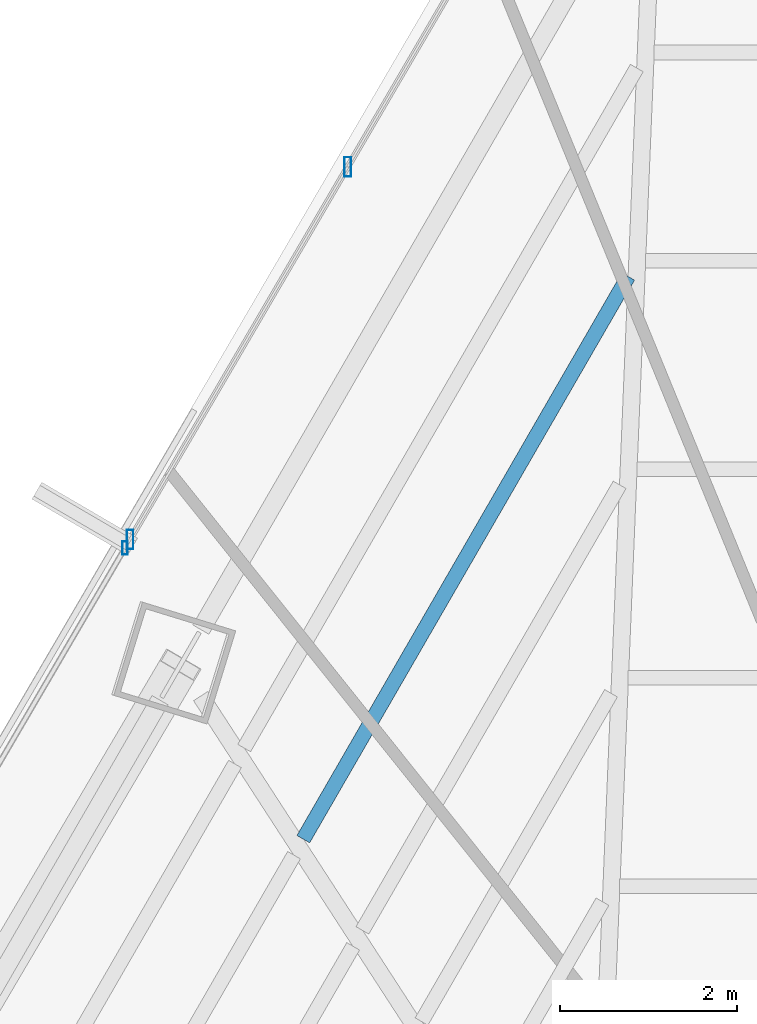
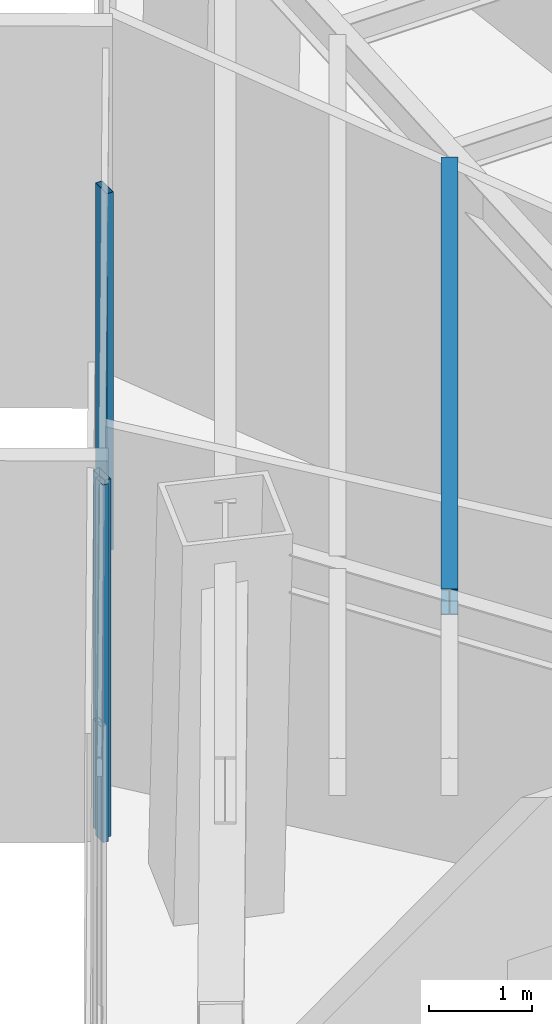
# One storey, part 24 of 37: 3 members, 1 beam, 2 elements without a shape of their own.
"""IFC4 building model written with IfcOpenShell, lengths in metres."""

from ifc_helpers import new_model, si_unit, direction, frame, origin, origin_2d, place, context, subcontext, project, spatial, hollow_rectangle, i_section, extrude, source, transform, mapped, material, material_profile, profile_set, type_object, type_shapes, element, aggregate, save


model = new_model("IFC4")

# Units and contexts
model_context = context("Model", 3, precision=1e-05, world=origin(), true_north=direction((0.0, 1.0)))
body_context = subcontext(model_context, "Body", "Model", "MODEL_VIEW")
ifc_project = project(units=[si_unit("LENGTHUNIT", "METRE"), si_unit("AREAUNIT", "SQUARE_METRE"), si_unit("VOLUMEUNIT", "CUBIC_METRE"), si_unit("PLANEANGLEUNIT", "RADIAN"), si_unit("MASSUNIT", "GRAM", prefix="KILO")], contexts=[model_context])

# Site, building, storey
site_placement = place(None, origin())
site = spatial("IfcSite", under=ifc_project, at=site_placement, CompositionType="ELEMENT")
building_placement = place(site_placement, origin())
building = spatial("IfcBuilding", under=site, at=building_placement, Name="Caelisora Broadcast Tower", CompositionType="ELEMENT")
storey_placement = place(building_placement, frame((0.0, 0.0, 127.300048828125)))
storey = spatial("IfcBuildingStorey", under=building, at=storey_placement, Name="L33", CompositionType="ELEMENT", Elevation=127.300048828125)

# Beam
ifc_material_1 = material(Name="Steel Grade 350 (AS/NZS 3679.1)", Category="steel")
ifc_material_profile_1 = material_profile(ifc_material_1, i_section(OverallWidth=0.166015625, OverallDepth=0.30712890625, WebThickness=0.006591796875, FlangeThickness=0.01171875, at=origin_2d()), Name="Steel Grade 350 (AS/NZS 3679.1)")
ifc_profile_set_1 = profile_set([ifc_material_profile_1], Name="Steel Grade 350 (AS/NZS 3679.1)")
beam_type = type_object("IfcBeamType", Name="SB03", PredefinedType="JOIST", material=ifc_profile_set_1)
shared_shape_1 = source(origin(), body_context, "Body", "SweptSolid", [
    extrude(i_section(OverallWidth=0.166015625, OverallDepth=0.30712890625, WebThickness=0.006591796875, FlangeThickness=0.01171875, at=origin_2d()), origin(), (0.0, 0.0, 1.0), 7.328857421875),
])
type_shapes(beam_type, [shared_shape_1])
beam_placement = place(storey_placement, frame((30.882568359375, 41.578125, 4.096435546875), z_axis=(-0.500015616293, -0.866016387526, 0.0), x_axis=(0.866016387526, -0.500015616293, 0.0)))
element("IfcBeam", 1, at=beam_placement, inside=storey, type_object=beam_type, Name="L33 beam SB03", PredefinedType="JOIST", context=body_context, shape_type="MappedRepresentation", body=[
    mapped(shared_shape_1, transform((0.0, 0.0, 0.0), scale=1.0)),
])

# Curtain wall, members
ifc_material_2 = material(Name="Unitised Aluminium and Low-E Glass Curtain Wall", Category="glass")
curtain_wall_type_1 = type_object("IfcCurtainWallType", Name="CW-SKY", PredefinedType="NOTDEFINED", material=ifc_material_2)
curtain_wall_1_placement = place(storey_placement, origin())
curtain_wall_1 = element("IfcCurtainWall", 2, at=curtain_wall_1_placement, inside=storey, type_object=curtain_wall_type_1, Name="L33 curtain wall CW-SKY", PredefinedType="NOTDEFINED")
ifc_material_3 = material(Name="Aluminium 6063-T6 Anodised Terracotta Bronze", Category="aluminium")
ifc_material_profile_2 = material_profile(ifc_material_3, hollow_rectangle(XDim=0.074951171875, YDim=0.219970703125, WallThickness=0.00390625, at=origin_2d()), Name="Aluminium 6063-T6 Anodised Terracotta Bronze")
ifc_profile_set_2 = profile_set([ifc_material_profile_2], Name="Aluminium 6063-T6 Anodised Terracotta Bronze")
member_type_1 = type_object("IfcMemberType", Name="CWM-01", PredefinedType="MULLION", material=ifc_profile_set_2)
shared_shape_2 = source(origin(), body_context, "Body", "SweptSolid", [
    extrude(hollow_rectangle(XDim=0.074951171875, YDim=0.219970703125, WallThickness=0.00390625, at=origin_2d()), origin(), (0.0, 0.0, 1.0), 4.25),
])
type_shapes(member_type_1, [shared_shape_2])
member_1_placement = place(storey_placement, frame((25.263671875, 38.611572265625, 0.0), z_axis=(0.0, 0.0, 1.0), x_axis=(1.0, 0.0, 0.0)))
member_1 = element("IfcMember", 3, at=member_1_placement, type_object=member_type_1, Name="L33-CW-B11 mullion #0", PredefinedType="MULLION", context=body_context, shape_type="MappedRepresentation", body=[
    mapped(shared_shape_2, transform((0.0, 0.0, 0.0), scale=1.0)),
])
member_2_placement = place(storey_placement, frame((27.71923828125, 42.81396484375, 0.0), z_axis=(0.0, 0.0, 1.0), x_axis=(1.0, 0.0, 0.0)))
member_2 = element("IfcMember", 4, at=member_2_placement, type_object=member_type_1, Name="L33-CW-B11 mullion #1", PredefinedType="MULLION", context=body_context, shape_type="MappedRepresentation", body=[
    mapped(shared_shape_2, transform((0.0, 0.0, 0.0), scale=1.0)),
])
aggregate(curtain_wall_1, [member_1, member_2])

# Curtain wall, member
ifc_material_4 = material(Name="Unitised Aluminium Insulated Shadow-Box Spandrel Curtain Wall", Category="aluminium")
curtain_wall_type_2 = type_object("IfcCurtainWallType", Name="CW-SP2", PredefinedType="NOTDEFINED", material=ifc_material_4)
curtain_wall_2_placement = place(storey_placement, origin())
curtain_wall_2 = element("IfcCurtainWall", 5, at=curtain_wall_2_placement, inside=storey, type_object=curtain_wall_type_2, Name="L33 curtain wall CW-SP2", PredefinedType="NOTDEFINED")
ifc_material_profile_3 = material_profile(ifc_material_3, hollow_rectangle(XDim=0.06005859375, YDim=0.14990234375, WallThickness=0.00341796875, at=origin_2d()), Name="Aluminium 6063-T6 Anodised Terracotta Bronze")
ifc_profile_set_3 = profile_set([ifc_material_profile_3], Name="Aluminium 6063-T6 Anodised Terracotta Bronze")
member_type_2 = type_object("IfcMemberType", Name="CWM-03", PredefinedType="MULLION", material=ifc_profile_set_3)
shared_shape_3 = source(origin(), body_context, "Body", "SweptSolid", [
    extrude(hollow_rectangle(XDim=0.06005859375, YDim=0.14990234375, WallThickness=0.00341796875, at=origin_2d()), origin(), (0.0, 0.0, 1.0), 4.25),
])
type_shapes(member_type_2, [shared_shape_3])
member_3_placement = place(storey_placement, frame((25.2080078125, 38.5166015625, 0.0), z_axis=(0.0, 0.0, 1.0), x_axis=(1.0, 0.0, 0.0)))
member_3 = element("IfcMember", 6, at=member_3_placement, type_object=member_type_2, Name="L33-CW-B10 mullion #3", PredefinedType="MULLION", context=body_context, shape_type="MappedRepresentation", body=[
    mapped(shared_shape_3, transform((0.0, 0.0, 0.0), scale=1.0)),
])
aggregate(curtain_wall_2, [member_3])

save(model, "model.ifc")
